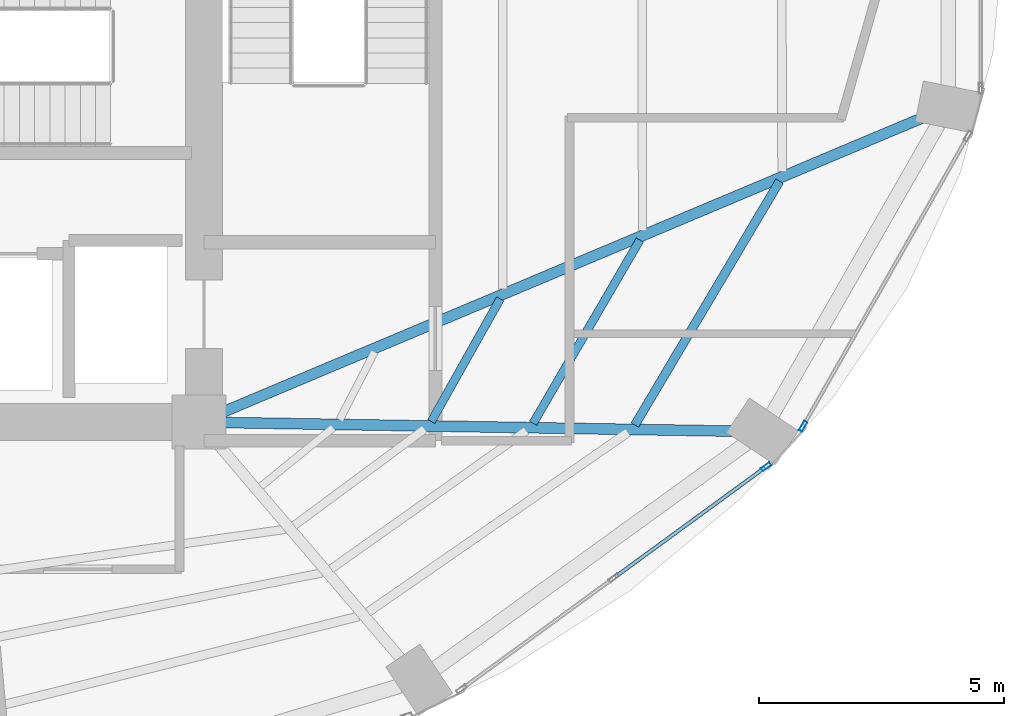
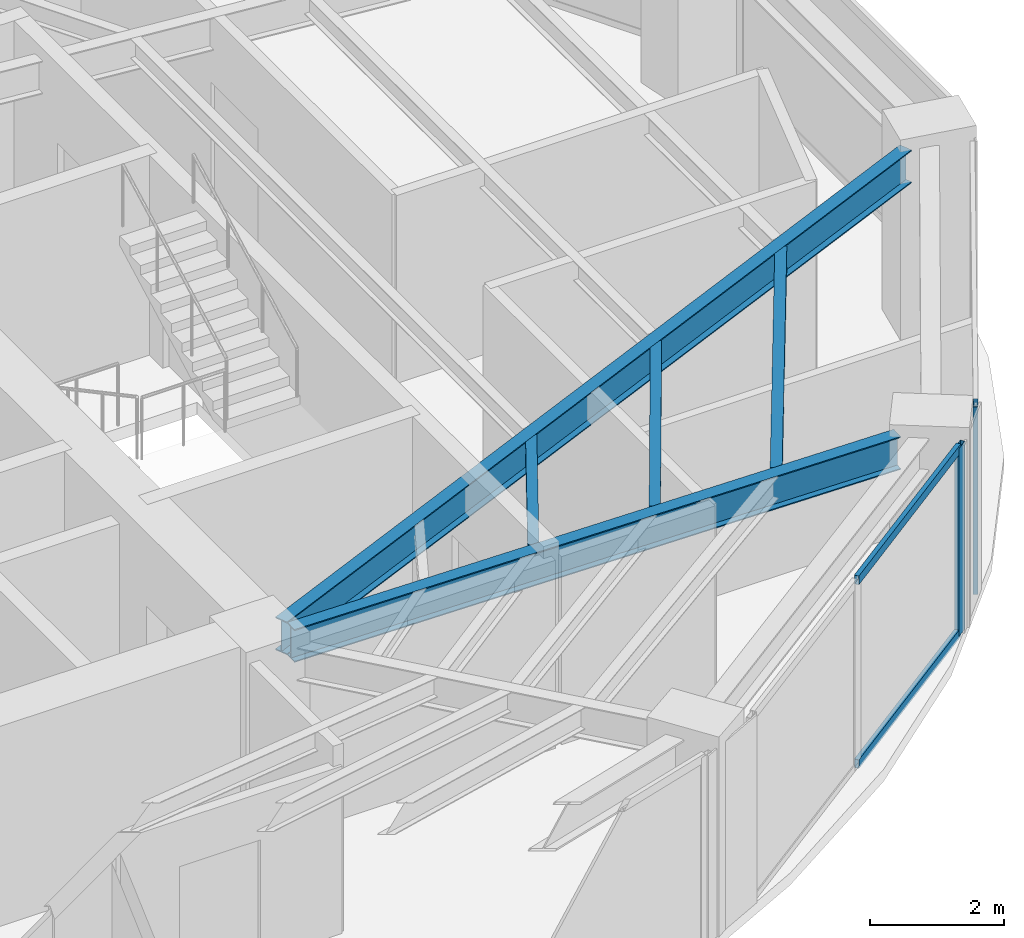
# One storey, part 12 of 24: 5 beams, 4 members, 2 elements without a shape of their own.
"""IFC4 building model written with IfcOpenShell, lengths in metres."""

from ifc_helpers import new_model, si_unit, direction, frame, origin, origin_2d, place, context, subcontext, project, spatial, hollow_rectangle, i_section, extrude, material, layer, layer_set, material_profile, profile_set, type_object, element, aggregate, save


model = new_model("IFC4")

# Units and contexts
model_context = context("Model", 3, precision=1e-05, world=origin(), true_north=direction((0.0, 1.0)))
body_context = subcontext(model_context, "Body", "Model", "MODEL_VIEW")
ifc_project = project(units=[si_unit("LENGTHUNIT", "METRE"), si_unit("AREAUNIT", "SQUARE_METRE"), si_unit("VOLUMEUNIT", "CUBIC_METRE"), si_unit("PLANEANGLEUNIT", "RADIAN"), si_unit("MASSUNIT", "GRAM", prefix="KILO")], contexts=[model_context])

# Site, building, storey
site_placement = place(None, origin())
site = spatial("IfcSite", under=ifc_project, at=site_placement, CompositionType="ELEMENT")
building_placement = place(site_placement, origin())
building = spatial("IfcBuilding", under=site, at=building_placement, Name="Lazwardi Medical Tower", CompositionType="ELEMENT")
storey_placement = place(building_placement, frame((0.0, 0.0, 114.575927734375)))
storey = spatial("IfcBuildingStorey", under=building, at=storey_placement, Name="L29", CompositionType="ELEMENT", Elevation=114.575927734375)

# Beams
ifc_material_1 = material(Name="Steel S355", Category="steel")
ifc_material_profile_1 = material_profile(ifc_material_1, i_section(OverallWidth=0.219970703125, OverallDepth=0.60009765625, WebThickness=0.011962890625, FlangeThickness=0.01904296875, at=origin_2d()), Name="IPE 600")
ifc_profile_set_1 = profile_set([ifc_material_profile_1], Name="Steel S355")
beam_type_1 = type_object("IfcBeamType", Name="BM-RG-W1", PredefinedType="BEAM", material=ifc_profile_set_1)
beam_1_placement = place(storey_placement, frame((56.497802734375, 20.215087890625, 3.128173828125), z_axis=(-0.99985616395, 0.016960289263, 0.0), x_axis=(-0.016960289263, -0.99985616395, 0.0)))
element("IfcBeam", 1, at=beam_1_placement, inside=storey, type_object=beam_type_1, Name="Radial girder RG-02 R03 L29", PredefinedType="BEAM", context=body_context, shape_type="SweptSolid", body=[
    extrude(i_section(OverallWidth=0.219970703125, OverallDepth=0.60009765625, WebThickness=0.011962890625, FlangeThickness=0.01904296875, at=origin_2d()), origin(), (0.0, 0.0, 1.0), 10.3642578125),
])
beam_2_placement = place(storey_placement, frame((60.328369140625, 26.59521484375, 3.128173828125), z_axis=(-0.921775176005, -0.38772480563, 0.0), x_axis=(0.38772480563, -0.921775176005, 0.0)))
element("IfcBeam", 2, at=beam_2_placement, inside=storey, type_object=beam_type_1, Name="Radial girder RG-02 R04 L29", PredefinedType="BEAM", context=body_context, shape_type="SweptSolid", body=[
    extrude(i_section(OverallWidth=0.219970703125, OverallDepth=0.60009765625, WebThickness=0.011962890625, FlangeThickness=0.01904296875, at=origin_2d()), origin(), (0.0, 0.0, 1.0), 15.443359375),
])
ifc_material_profile_2 = material_profile(ifc_material_1, i_section(OverallWidth=0.179931640625, OverallDepth=0.39990234375, WebThickness=0.008544921875, FlangeThickness=0.013427734375, at=origin_2d()), Name="IPE 400")
ifc_profile_set_2 = profile_set([ifc_material_profile_2], Name="Steel S355")
beam_type_2 = type_object("IfcBeamType", Name="BM-SJ-01", PredefinedType="JOIST", material=ifc_profile_set_2)
beam_3_placement = place(storey_placement, frame((54.47900390625, 20.340576171875, 3.22802734375), z_axis=(0.510499691073, 0.859877936346, 0.0), x_axis=(-0.859877936346, 0.510499691073, 0.0)))
element("IfcBeam", 3, at=beam_3_placement, inside=storey, type_object=beam_type_2, Name="Secondary joist SJ-01 R1 B03 L29", PredefinedType="JOIST", context=body_context, shape_type="SweptSolid", body=[
    extrude(i_section(OverallWidth=0.179931640625, OverallDepth=0.39990234375, WebThickness=0.008544921875, FlangeThickness=0.013427734375, at=origin_2d()), origin(), (0.0, 0.0, 1.0), 5.776123046875),
])
ifc_material_profile_3 = material_profile(ifc_material_1, i_section(OverallWidth=0.169921875, OverallDepth=0.360107421875, WebThickness=0.008056640625, FlangeThickness=0.0126953125, at=origin_2d()), Name="IPE 360")
ifc_profile_set_3 = profile_set([ifc_material_profile_3], Name="Steel S355")
beam_type_3 = type_object("IfcBeamType", Name="BM-SJ-02", PredefinedType="JOIST", material=ifc_profile_set_3)
beam_4_placement = place(storey_placement, frame((52.405517578125, 20.376220703125, 3.248046875), z_axis=(0.503544274258, 0.86396942299, 0.0), x_axis=(-0.86396942299, 0.503544274258, 0.0)))
element("IfcBeam", 4, at=beam_4_placement, inside=storey, type_object=beam_type_3, Name="Secondary joist SJ-02 R2 B03 L29", PredefinedType="JOIST", context=body_context, shape_type="SweptSolid", body=[
    extrude(i_section(OverallWidth=0.169921875, OverallDepth=0.360107421875, WebThickness=0.008056640625, FlangeThickness=0.0126953125, at=origin_2d()), origin(), (0.0, 0.0, 1.0), 4.321044921875),
])
beam_5_placement = place(storey_placement, frame((50.33154296875, 20.412109375, 3.248046875), z_axis=(0.489860824278, 0.871800649711, 0.0), x_axis=(-0.871800649711, 0.489860824278, 0.0)))
element("IfcBeam", 5, at=beam_5_placement, inside=storey, type_object=beam_type_3, Name="Secondary joist SJ-02 R3 B03 L29", PredefinedType="JOIST", context=body_context, shape_type="SweptSolid", body=[
    extrude(i_section(OverallWidth=0.169921875, OverallDepth=0.360107421875, WebThickness=0.008056640625, FlangeThickness=0.0126953125, at=origin_2d()), origin(), (0.0, 0.0, 1.0), 2.8662109375),
])

# Curtain wall, member
ifc_material_2 = material(Name="Anodised bronze aluminium and solar control glazing", Category="aluminium")
ifc_layer = layer(ifc_material_2, 0.195068359375)
ifc_layer_set = layer_set([ifc_layer], Name="Anodised bronze aluminium and solar control glazing")
curtain_wall_type = type_object("IfcCurtainWallType", Name="CW-SYS-03", PredefinedType="NOTDEFINED", material=ifc_layer_set)
curtain_wall_1_placement = place(storey_placement, origin())
curtain_wall_1 = element("IfcCurtainWall", 6, at=curtain_wall_1_placement, inside=storey, type_object=curtain_wall_type, Name="L29 Unitised bronze curtain wall CW-03", PredefinedType="NOTDEFINED")
ifc_material_3 = material(Name="Anodised bronze aluminium", Category="aluminium")
ifc_material_profile_4 = material_profile(ifc_material_3, hollow_rectangle(XDim=0.074951171875, YDim=0.219970703125, WallThickness=0.00390625, at=origin_2d()), Name="ALU-MULLION 220x75x4")
ifc_profile_set_4 = profile_set([ifc_material_profile_4], Name="Anodised bronze aluminium")
member_type_1 = type_object("IfcMemberType", Name="CW-MUL-01", PredefinedType="MULLION", material=ifc_profile_set_4)
member_1_placement = place(storey_placement, frame((57.155029296875, 19.4912109375, 0.0), z_axis=(0.0, 0.0, 1.0), x_axis=(-0.589530882802, 0.807745837639, 0.0)))
member_1 = element("IfcMember", 7, at=member_1_placement, type_object=member_type_1, Name="CW-03 mullion 3", PredefinedType="MULLION", context=body_context, shape_type="SweptSolid", body=[
    extrude(hollow_rectangle(XDim=0.074951171875, YDim=0.219970703125, WallThickness=0.00390625, at=origin_2d()), origin(), (0.0, 0.0, 1.0), 3.427978515625),
])

curtain_wall_2_placement = place(storey_placement, origin())
curtain_wall_2 = element("IfcCurtainWall", 8, at=curtain_wall_2_placement, inside=storey, type_object=curtain_wall_type, Name="L29 Unitised bronze curtain wall CW-03", PredefinedType="NOTDEFINED")
member_2_placement = place(storey_placement, frame((57.9072265625, 20.314208984375, 0.0), z_axis=(0.0, 0.0, 1.0), x_axis=(-0.869687265712, 0.493603140041, 0.0)))
member_2 = element("IfcMember", 9, at=member_2_placement, type_object=member_type_1, Name="CW-03 mullion 1", PredefinedType="MULLION", context=body_context, shape_type="SweptSolid", body=[
    extrude(hollow_rectangle(XDim=0.074951171875, YDim=0.219970703125, WallThickness=0.00390625, at=origin_2d()), origin(), (0.0, 0.0, 1.0), 3.427978515625),
])
aggregate(curtain_wall_2, [member_2])

# Member
ifc_material_profile_5 = material_profile(ifc_material_3, hollow_rectangle(XDim=0.074951171875, YDim=0.159912109375, WallThickness=0.00390625, at=origin_2d()), Name="ALU-TRANSOM 160x75x4")
ifc_profile_set_5 = profile_set([ifc_material_profile_5], Name="Anodised bronze aluminium")
member_type_2 = type_object("IfcMemberType", Name="CW-TRN-01", PredefinedType="USERDEFINED", material=ifc_profile_set_5)
member_3_placement = place(storey_placement, frame((54.081298828125, 17.247802734375, 0.03759765625), z_axis=(0.807731734271, 0.589550206049, 0.0), x_axis=(-0.589550206049, 0.807731734271, 0.0)))
member_3 = element("IfcMember", 10, at=member_3_placement, type_object=member_type_2, Name="CW-03 transom 2.1", ObjectType="TRANSOM", PredefinedType="USERDEFINED", context=body_context, shape_type="SweptSolid", body=[
    extrude(hollow_rectangle(XDim=0.074951171875, YDim=0.159912109375, WallThickness=0.00390625, at=origin_2d()), origin(), (0.0, 0.0, 1.0), 3.767578125),
])

member_4_placement = place(storey_placement, frame((54.081298828125, 17.247802734375, 3.390625), z_axis=(0.807731734271, 0.589550206049, 0.0), x_axis=(-0.589550206049, 0.807731734271, 0.0)))
member_4 = element("IfcMember", 11, at=member_4_placement, type_object=member_type_2, Name="CW-03 transom 2.2", ObjectType="TRANSOM", PredefinedType="USERDEFINED", context=body_context, shape_type="SweptSolid", body=[
    extrude(hollow_rectangle(XDim=0.074951171875, YDim=0.159912109375, WallThickness=0.00390625, at=origin_2d()), origin(), (0.0, 0.0, 1.0), 3.767578125),
])

aggregate(curtain_wall_1, [member_1, member_3, member_4])

save(model, "model.ifc")
